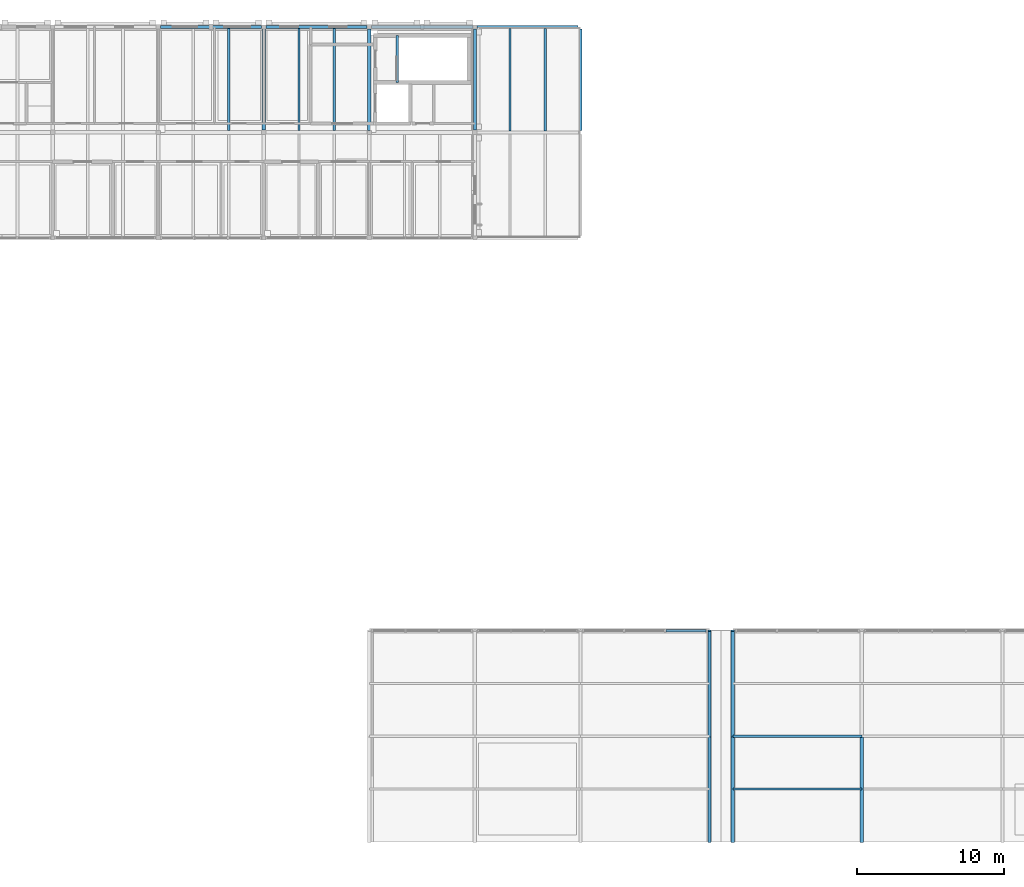
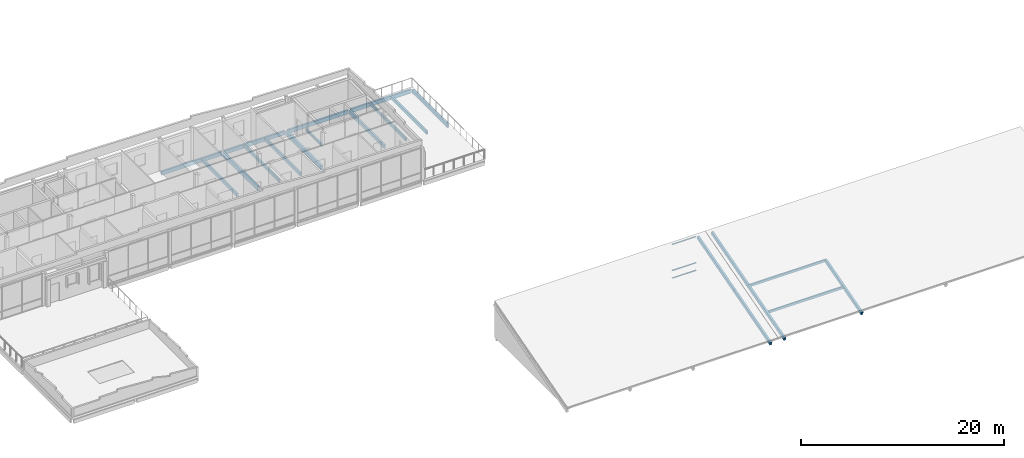
# One storey, part 15 of 32: 14 beams, 10 members, 1 element without a shape of its own.
"""IFC4 building model written with IfcOpenShell, lengths in metres."""

from ifc_helpers import new_model, si_unit, direction, frame, origin, origin_2d, place, context, subcontext, project, spatial, rectangle, hollow_rectangle, i_section, extrude, material, material_profile, profile_set, type_object, element, aggregate, save


model = new_model("IFC4")

# Units and contexts
model_context = context("Model", 3, precision=1e-05, world=origin(), true_north=direction((0.0, 1.0)))
body_context = subcontext(model_context, "Body", "Model", "MODEL_VIEW")
ifc_project = project(units=[si_unit("LENGTHUNIT", "METRE"), si_unit("AREAUNIT", "SQUARE_METRE"), si_unit("VOLUMEUNIT", "CUBIC_METRE"), si_unit("PLANEANGLEUNIT", "RADIAN"), si_unit("MASSUNIT", "GRAM", prefix="KILO")], contexts=[model_context])

# Site, building, storey
site_placement = place(None, origin())
site = spatial("IfcSite", under=ifc_project, at=site_placement, CompositionType="ELEMENT")
building_placement = place(site_placement, origin())
building = spatial("IfcBuilding", under=site, at=building_placement, Name="Hawrajan Terrace Health Centre", CompositionType="ELEMENT")
storey_placement = place(building_placement, frame((0.0, 0.0, 17.39990234375)))
storey = spatial("IfcBuildingStorey", under=building, at=storey_placement, Name="L04", CompositionType="ELEMENT", Elevation=17.39990234375)

# Curtain wall, members
ifc_material_1 = material(Name="Anodized bronze aluminium and low-E solar glazing", Category="aluminium")
curtain_wall_type = type_object("IfcCurtainWallType", Name="CW_Clerestory_SeriesG2", PredefinedType="USERDEFINED", material=ifc_material_1)
curtain_wall_placement = place(storey_placement, origin())
curtain_wall = element("IfcCurtainWall", 1, at=curtain_wall_placement, inside=storey, type_object=curtain_wall_type, Name="Curtain wall CW-L04-CLER-181", ObjectType="UNITISED CURTAIN WALL", PredefinedType="USERDEFINED")
ifc_material_2 = material(Name="Anodized bronze aluminium 6063-T6", Category="aluminium")
ifc_material_profile_1 = material_profile(ifc_material_2, hollow_rectangle(XDim=0.06494140625, YDim=0.14990234375, WallThickness=0.00390625, at=origin_2d()), Name="CW TRN 65x150")
ifc_profile_set_1 = profile_set([ifc_material_profile_1], Name="Anodized bronze aluminium 6063-T6")
member_type_1 = type_object("IfcMemberType", Name="CWTransom_65x150", PredefinedType="USERDEFINED", material=ifc_profile_set_1)
member_1_placement = place(storey_placement, frame((68.025634765625, 18.60009765625, -0.16748046875), z_axis=(1.0, 0.0, 0.0), x_axis=(0.0, 0.0, 1.0)))
member_1 = element("IfcMember", 2, at=member_1_placement, type_object=member_type_1, Name="Transom CW-L04-CLER-181-T3-1", ObjectType="TRANSOM", PredefinedType="USERDEFINED", context=body_context, shape_type="SweptSolid", body=[
    extrude(hollow_rectangle(XDim=0.06494140625, YDim=0.14990234375, WallThickness=0.00390625, at=origin_2d()), origin(), (0.0, 0.0, 1.0), 2.745361328125),
])
member_2_placement = place(storey_placement, frame((68.025634765625, 18.60009765625, 0.75), z_axis=(1.0, 0.0, 0.0), x_axis=(0.0, 0.0, 1.0)))
member_2 = element("IfcMember", 3, at=member_2_placement, type_object=member_type_1, Name="Transom CW-L04-CLER-181-T3-2", ObjectType="TRANSOM", PredefinedType="USERDEFINED", context=body_context, shape_type="SweptSolid", body=[
    extrude(hollow_rectangle(XDim=0.06494140625, YDim=0.14990234375, WallThickness=0.00390625, at=origin_2d()), origin(), (0.0, 0.0, 1.0), 2.745361328125),
])
member_3_placement = place(storey_placement, frame((68.025634765625, 18.60009765625, 3.896728515625), z_axis=(1.0, 0.0, 0.0), x_axis=(0.0, 0.0, 1.0)))
member_3 = element("IfcMember", 4, at=member_3_placement, type_object=member_type_1, Name="Transom CW-L04-CLER-181-T3-3", ObjectType="TRANSOM", PredefinedType="USERDEFINED", context=body_context, shape_type="SweptSolid", body=[
    extrude(hollow_rectangle(XDim=0.06494140625, YDim=0.14990234375, WallThickness=0.00390625, at=origin_2d()), origin(), (0.0, 0.0, 1.0), 2.745361328125),
])
aggregate(curtain_wall, [member_1, member_2, member_3])

# Beams
ifc_material_3 = material(Name="Glulam GL32h", Category="wood")
ifc_material_profile_2 = material_profile(ifc_material_3, rectangle(XDim=0.239990234375, YDim=0.52001953125, at=origin_2d()), Name="GL BM 240x520")
ifc_profile_set_2 = profile_set([ifc_material_profile_2], Name="Glulam GL32h")
beam_type_1 = type_object("IfcBeamType", Name="GlulamGirder_240x520", PredefinedType="BEAM", material=ifc_profile_set_2)
for number, where, z_axis, x_axis, name in (
    (5, (40.60009765625, 52.760009765625, -0.449951171875), (0.0, 1.0, 0.0), (-1.0, 0.0, 0.0), "Beam BM-Y-L04-W-X06-7"),
    (6, (47.800048828125, 52.739990234375, -0.449951171875), (0.0, 1.0, 0.0), (-1.0, 0.0, 0.0), "Beam BM-Y-L04-W-X07-7"),
):
    element("IfcBeam", number, at=place(storey_placement, frame(where, z_axis=z_axis, x_axis=x_axis)), inside=storey, type_object=beam_type_1, Name=name, PredefinedType="BEAM", context=body_context, shape_type="SweptSolid", body=[
        extrude(rectangle(XDim=0.239990234375, YDim=0.52001953125, at=origin_2d()), origin(), (0.0, 0.0, 1.0), 6.89990234375),
    ])
ifc_material_4 = material(Name="Glulam GL28h", Category="wood")
ifc_material_profile_3 = material_profile(ifc_material_4, rectangle(XDim=0.159912109375, YDim=0.360107421875, at=origin_2d()), Name="GL JST 160x360")
ifc_profile_set_3 = profile_set([ifc_material_profile_3], Name="Glulam GL28h")
beam_type_2 = type_object("IfcBeamType", Name="GlulamJoist_160x360", PredefinedType="JOIST", material=ifc_profile_set_3)
beam_1_placement = place(storey_placement, frame((43.0, 52.719970703125, -0.369873046875), z_axis=(0.0, 1.0, 0.0), x_axis=(-1.0, 0.0, 0.0)))
element("IfcBeam", 7, at=beam_1_placement, inside=storey, type_object=beam_type_2, Name="Secondary joist JST-L04-W-06-7-1", PredefinedType="JOIST", context=body_context, shape_type="SweptSolid", body=[
    extrude(rectangle(XDim=0.159912109375, YDim=0.360107421875, at=origin_2d()), origin(), (0.0, 0.0, 1.0), 6.97998046875),
])
beam_2_placement = place(storey_placement, frame((57.39990234375, 52.699951171875, -0.39990234375), z_axis=(0.0, 1.0, 0.0), x_axis=(-1.0, 0.0, 0.0)))
element("IfcBeam", 8, at=beam_2_placement, inside=storey, type_object=beam_type_2, Name="Secondary joist JST-L04-W-08-7-1", PredefinedType="JOIST", context=body_context, shape_type="SweptSolid", body=[
    extrude(rectangle(XDim=0.159912109375, YDim=0.360107421875, at=origin_2d()), origin(), (0.0, 0.0, 1.0), 7.0),
])
ifc_material_profile_4 = material_profile(ifc_material_4, rectangle(XDim=0.179931640625, YDim=0.39990234375, at=origin_2d()), Name="GL JST 180x400")
ifc_profile_set_4 = profile_set([ifc_material_profile_4], Name="Glulam GL28h")
beam_type_3 = type_object("IfcBeamType", Name="GlulamJoist_180x400", PredefinedType="JOIST", material=ifc_profile_set_4)
beam_3_placement = place(storey_placement, frame((38.199951171875, 52.739990234375, -0.389892578125), z_axis=(0.0, 1.0, 0.0), x_axis=(-1.0, 0.0, 0.0)))
element("IfcBeam", 9, at=beam_3_placement, inside=storey, type_object=beam_type_3, Name="Secondary joist JST-L04-W-05-7-2", PredefinedType="JOIST", context=body_context, shape_type="SweptSolid", body=[
    extrude(rectangle(XDim=0.179931640625, YDim=0.39990234375, at=origin_2d()), origin(), (0.0, 0.0, 1.0), 6.9599609375),
])
beam_4_placement = place(storey_placement, frame((45.39990234375, 52.719970703125, -0.389892578125), z_axis=(0.0, 1.0, 0.0), x_axis=(-1.0, 0.0, 0.0)))
element("IfcBeam", 10, at=beam_4_placement, inside=storey, type_object=beam_type_3, Name="Secondary joist JST-L04-W-06-7-2", PredefinedType="JOIST", context=body_context, shape_type="SweptSolid", body=[
    extrude(rectangle(XDim=0.179931640625, YDim=0.39990234375, at=origin_2d()), origin(), (0.0, 0.0, 1.0), 6.97998046875),
])
beam_5_placement = place(storey_placement, frame((59.800048828125, 52.699951171875, -0.419921875), z_axis=(0.0, 1.0, 0.0), x_axis=(-1.0, 0.0, 0.0)))
element("IfcBeam", 11, at=beam_5_placement, inside=storey, type_object=beam_type_3, Name="Secondary joist JST-L04-W-08-7-2", PredefinedType="JOIST", context=body_context, shape_type="SweptSolid", body=[
    extrude(rectangle(XDim=0.179931640625, YDim=0.39990234375, at=origin_2d()), origin(), (0.0, 0.0, 1.0), 7.0),
])
ifc_material_profile_5 = material_profile(ifc_material_3, rectangle(XDim=0.199951171875, YDim=0.4599609375, at=origin_2d()), Name="GL SP 200x460")
ifc_profile_set_5 = profile_set([ifc_material_profile_5], Name="Glulam GL32h")
beam_type_4 = type_object("IfcBeamType", Name="GlulamSpandrel_200x460", PredefinedType="SPANDREL", material=ifc_profile_set_5)
for number, where, z_axis, x_axis, name in (
    (12, (33.56005859375, 59.800048828125, -0.419921875), (1.0, 0.0, 0.0), (0.0, 1.0, 0.0), "Beam BM-X-L04-W-05-Y8"),
    (13, (40.739990234375, 59.800048828125, -0.419921875), (1.0, 0.0, 0.0), (0.0, 1.0, 0.0), "Beam BM-X-L04-W-06-Y8"),
):
    element("IfcBeam", number, at=place(storey_placement, frame(where, z_axis=z_axis, x_axis=x_axis)), inside=storey, type_object=beam_type_4, Name=name, PredefinedType="SPANDREL", context=body_context, shape_type="SweptSolid", body=[
        extrude(rectangle(XDim=0.199951171875, YDim=0.4599609375, at=origin_2d()), origin(), (0.0, 0.0, 1.0), 6.89990234375),
    ])
for number, where, z_axis, x_axis, name in (
    (14, (47.9599609375, 59.800048828125, -0.449951171875), (1.0, 0.0, 0.0), (0.0, 1.0, 0.0), "Beam BM-X-L04-W-07-Y8"),
    (15, (55.139892578125, 59.800048828125, -0.449951171875), (1.0, 0.0, 0.0), (0.0, 1.0, 0.0), "Beam BM-X-L04-W-08-Y8"),
):
    element("IfcBeam", number, at=place(storey_placement, frame(where, z_axis=z_axis, x_axis=x_axis)), inside=storey, type_object=beam_type_4, Name=name, PredefinedType="SPANDREL", context=body_context, shape_type="SweptSolid", body=[
        extrude(rectangle(XDim=0.199951171875, YDim=0.4599609375, at=origin_2d()), origin(), (0.0, 0.0, 1.0), 6.900146484375),
    ])
for number, where, z_axis, x_axis, name in (
    (16, (55.0, 52.760009765625, -0.449951171875), (0.0, 1.0, 0.0), (-1.0, 0.0, 0.0), "Beam BM-Y-L04-W-X08-7"),
    (17, (62.199951171875, 52.739990234375, -0.449951171875), (0.0, 1.0, 0.0), (-1.0, 0.0, 0.0), "Beam BM-Y-L04-W-X09-7"),
):
    element("IfcBeam", number, at=place(storey_placement, frame(where, z_axis=z_axis, x_axis=x_axis)), inside=storey, type_object=beam_type_4, Name=name, PredefinedType="SPANDREL", context=body_context, shape_type="SweptSolid", body=[
        extrude(rectangle(XDim=0.199951171875, YDim=0.4599609375, at=origin_2d()), origin(), (0.0, 0.0, 1.0), 6.89990234375),
    ])

# Members
ifc_material_profile_6 = material_profile(ifc_material_4, rectangle(XDim=0.159912109375, YDim=0.280029296875, at=origin_2d()), Name="GL PUR 160x280")
ifc_profile_set_6 = profile_set([ifc_material_profile_6], Name="Glulam GL28h")
member_type_2 = type_object("IfcMemberType", Name="RoofPurlin_160x280", PredefinedType="PURLIN", material=ifc_profile_set_6)
for number, where, z_axis, x_axis, name in (
    (18, (72.60009765625, 7.800048828125, 0.65234375), (1.0, 0.0, 0.0), (0.0, 1.0, 0.0), "North-light purlin C-1-1"),
    (19, (72.60009765625, 11.39990234375, 1.684814453125), (1.0, 0.0, 0.0), (0.0, 1.0, 0.0), "North-light purlin C-1-2"),
):
    element("IfcMember", number, at=place(storey_placement, frame(where, z_axis=z_axis, x_axis=x_axis)), inside=storey, type_object=member_type_2, Name=name, PredefinedType="PURLIN", context=body_context, shape_type="SweptSolid", body=[
        extrude(rectangle(XDim=0.159912109375, YDim=0.280029296875, at=origin_2d()), origin(), (0.0, 0.0, 1.0), 8.7998046875),
    ])
ifc_material_profile_7 = material_profile(ifc_material_3, rectangle(XDim=0.219970703125, YDim=0.3798828125, at=origin_2d()), Name="GL CHD 220x380")
ifc_profile_set_7 = profile_set([ifc_material_profile_7], Name="Glulam GL32h")
member_type_3 = type_object("IfcMemberType", Name="RoofRafter_220x380", PredefinedType="RAFTER", material=ifc_profile_set_7)
for number, where, z_axis, x_axis, name in (
    (20, (71.0, 4.199951171875, -0.3798828125), (0.0, 0.961256584542, 0.275655180749), (-1.0, 0.0, 0.0), "North-light rafter S W-G10"),
    (21, (71.0, 11.39990234375, 1.684814453125), (0.0, 0.961267697111, 0.275616426379), (-1.0, 0.0, 0.0), "North-light rafter N W-G10"),
    (22, (72.60009765625, 4.199951171875, -0.3798828125), (0.0, 0.961256584542, 0.275655180749), (-1.0, 0.0, 0.0), "North-light rafter S C-G10"),
    (23, (72.60009765625, 11.39990234375, 1.684814453125), (0.0, 0.961267697111, 0.275616426379), (-1.0, 0.0, 0.0), "North-light rafter N C-G10"),
    (24, (81.39990234375, 4.199951171875, -0.3798828125), (0.0, 0.961256584542, 0.275655180749), (-1.0, 0.0, 0.0), "North-light rafter S C-G11"),
):
    element("IfcMember", number, at=place(storey_placement, frame(where, z_axis=z_axis, x_axis=x_axis)), inside=storey, type_object=member_type_3, Name=name, PredefinedType="RAFTER", context=body_context, shape_type="SweptSolid", body=[
        extrude(rectangle(XDim=0.219970703125, YDim=0.3798828125, at=origin_2d()), origin(), (0.0, 0.0, 1.0), 7.490234375),
    ])

# Beam
ifc_material_5 = material(Name="Steel S355", Category="steel")
ifc_material_profile_8 = material_profile(ifc_material_5, i_section(OverallWidth=0.14990234375, OverallDepth=0.300048828125, WebThickness=0.007080078125, FlangeThickness=0.0107421875, FilletRadius=0.014892578125, at=origin_2d()), Name="IPE 300")
ifc_profile_set_8 = profile_set([ifc_material_profile_8], Name="Steel S355")
beam_type_5 = type_object("IfcBeamType", Name="SteelBeam_IPE300", PredefinedType="JOIST", material=ifc_profile_set_8)
beam_6_placement = place(storey_placement, frame((49.699951171875, 56.0, -0.369873046875), z_axis=(0.0, 1.0, 0.0), x_axis=(-1.0, 0.0, 0.0)))
element("IfcBeam", 25, at=beam_6_placement, inside=storey, type_object=beam_type_5, Name="Stair top trimmer ST-2", PredefinedType="JOIST", context=body_context, shape_type="SweptSolid", body=[
    extrude(i_section(OverallWidth=0.14990234375, OverallDepth=0.300048828125, WebThickness=0.007080078125, FlangeThickness=0.0107421875, FilletRadius=0.014892578125, at=origin_2d()), origin(), (0.0, 0.0, 1.0), 3.199951171875),
])

save(model, "model.ifc")
